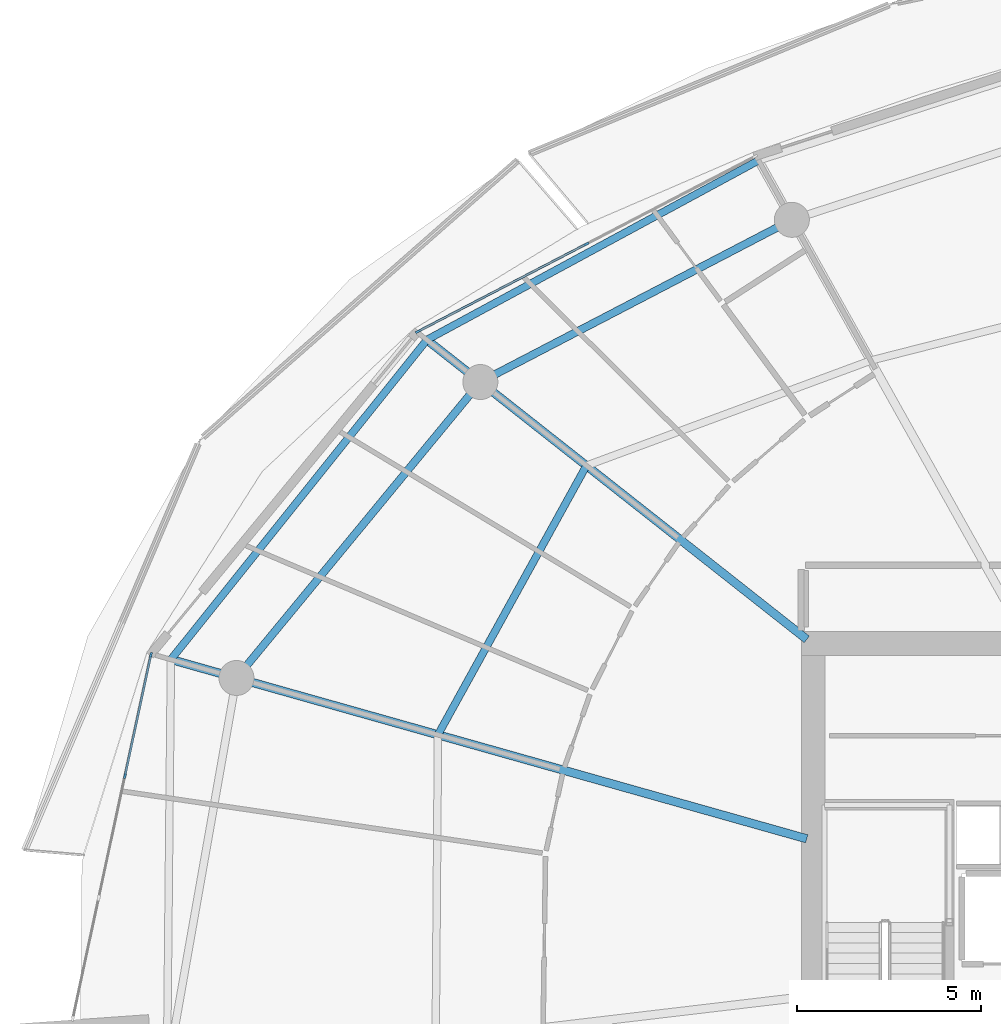
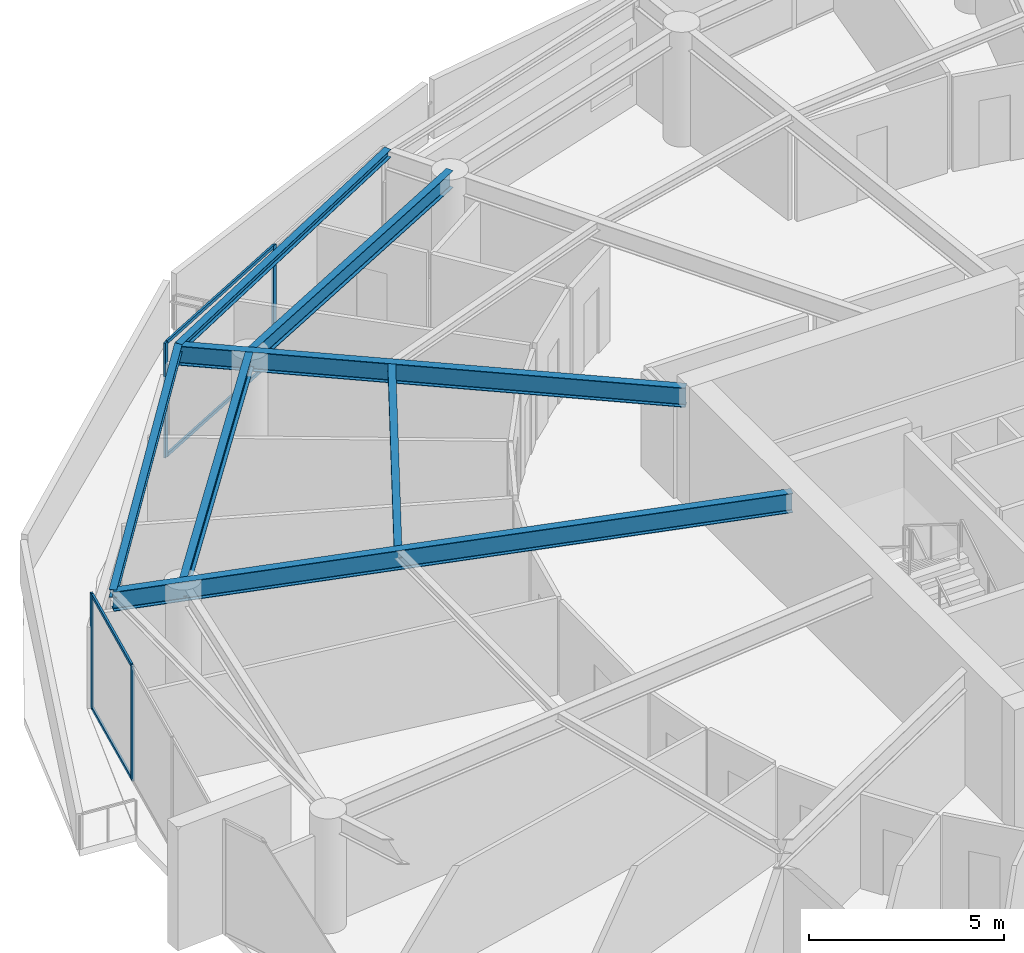
# One storey, part 12 of 30: 8 members, 7 beams, 2 elements without a shape of their own.
"""IFC4 building model written with IfcOpenShell, lengths in metres."""

from ifc_helpers import new_model, si_unit, direction, frame, origin, origin_2d, place, context, subcontext, project, spatial, rectangle, i_section, extrude, material, layer, layer_set, material_profile, profile_set, type_object, element, aggregate, save


model = new_model("IFC4")

# Units and contexts
model_context = context("Model", 3, precision=1e-05, world=origin(), true_north=direction((0.0, 1.0)))
body_context = subcontext(model_context, "Body", "Model", "MODEL_VIEW")
ifc_project = project(units=[si_unit("LENGTHUNIT", "METRE"), si_unit("AREAUNIT", "SQUARE_METRE"), si_unit("VOLUMEUNIT", "CUBIC_METRE"), si_unit("PLANEANGLEUNIT", "RADIAN"), si_unit("MASSUNIT", "GRAM", prefix="KILO")], contexts=[model_context])

# Site, building, storey
site_placement = place(None, origin())
site = spatial("IfcSite", under=ifc_project, at=site_placement, CompositionType="ELEMENT")
building_placement = place(site_placement, origin())
building = spatial("IfcBuilding", under=site, at=building_placement, Name="Kazma Halo Residences", CompositionType="ELEMENT")
storey_placement = place(building_placement, frame((0.0, 0.0, 244.39990234375)))
storey = spatial("IfcBuildingStorey", under=building, at=storey_placement, Name="L61", CompositionType="ELEMENT", Elevation=244.39990234375)

# Beams
ifc_material_1 = material(Name="Steel S355", Category="steel")
ifc_material_profile_1 = material_profile(ifc_material_1, i_section(OverallWidth=0.201904296875, OverallDepth=0.2470703125, WebThickness=0.00732421875, FlangeThickness=0.010986328125, FilletRadius=0.011962890625, at=origin_2d()), Name="W250x49.1")
ifc_profile_set_1 = profile_set([ifc_material_profile_1], Name="Steel S355")
beam_type_1 = type_object("IfcBeamType", Name="BM-BAL-CANT", PredefinedType="BEAM", material=ifc_profile_set_1)
beam_1_placement = place(storey_placement, frame((35.990478515625, 63.444580078125, 3.466552734375), z_axis=(-0.879517282036, -0.475866946321, 0.0), x_axis=(0.475866946321, -0.879517282036, 0.0)))
element("IfcBeam", 1, at=beam_1_placement, inside=storey, type_object=beam_type_1, Name="L61 wave-balcony tie beam 05", PredefinedType="BEAM", context=body_context, shape_type="SweptSolid", body=[
    extrude(i_section(OverallWidth=0.201904296875, OverallDepth=0.2470703125, WebThickness=0.00732421875, FlangeThickness=0.010986328125, FilletRadius=0.011962890625, at=origin_2d()), origin(), (0.0, 0.0, 1.0), 10.243408203125),
])
beam_2_placement = place(storey_placement, frame((26.981201171875, 58.570068359375, 3.466552734375), z_axis=(-0.625117912406, -0.780530329705, 0.0), x_axis=(0.780530329705, -0.625117912406, 0.0)))
element("IfcBeam", 2, at=beam_2_placement, inside=storey, type_object=beam_type_1, Name="L61 wave-balcony tie beam 06", PredefinedType="BEAM", context=body_context, shape_type="SweptSolid", body=[
    extrude(i_section(OverallWidth=0.201904296875, OverallDepth=0.2470703125, WebThickness=0.00732421875, FlangeThickness=0.010986328125, FilletRadius=0.011962890625, at=origin_2d()), origin(), (0.0, 0.0, 1.0), 11.1220703125),
])
ifc_material_profile_2 = material_profile(ifc_material_1, i_section(OverallWidth=0.22802734375, OverallDepth=0.60791015625, WebThickness=0.01123046875, FlangeThickness=0.017333984375, FilletRadius=0.01806640625, at=origin_2d()), Name="W610x113")
ifc_profile_set_2 = profile_set([ifc_material_profile_2], Name="Steel S355")
beam_type_2 = type_object("IfcBeamType", Name="BM-RAD-W610", PredefinedType="BEAM", material=ifc_profile_set_2)
beam_3_placement = place(storey_placement, frame((37.300048828125, 50.435302734375, 3.2861328125), z_axis=(-0.785315374811, 0.61909592317, 0.0), x_axis=(-0.61909592317, -0.785315374811, 0.0)))
element("IfcBeam", 3, at=beam_3_placement, inside=storey, type_object=beam_type_2, Name="L61 radial floor beam 06", PredefinedType="BEAM", context=body_context, shape_type="SweptSolid", body=[
    extrude(i_section(OverallWidth=0.22802734375, OverallDepth=0.60791015625, WebThickness=0.01123046875, FlangeThickness=0.017333984375, FilletRadius=0.01806640625, at=origin_2d()), origin(), (0.0, 0.0, 1.0), 13.1396484375),
])
beam_4_placement = place(storey_placement, frame((37.300048828125, 45.017578125, 3.2861328125), z_axis=(-0.962451225349, 0.271454671766, 0.0), x_axis=(-0.271454671766, -0.962451225349, 0.0)))
element("IfcBeam", 4, at=beam_4_placement, inside=storey, type_object=beam_type_2, Name="L61 radial floor beam 07", PredefinedType="BEAM", context=body_context, shape_type="SweptSolid", body=[
    extrude(i_section(OverallWidth=0.22802734375, OverallDepth=0.60791015625, WebThickness=0.01123046875, FlangeThickness=0.017333984375, FilletRadius=0.01806640625, at=origin_2d()), origin(), (0.0, 0.0, 1.0), 17.9453125),
])
ifc_material_profile_3 = material_profile(ifc_material_1, i_section(OverallWidth=0.202880859375, OverallDepth=0.302978515625, WebThickness=0.007568359375, FlangeThickness=0.01318359375, FilletRadius=0.013916015625, at=origin_2d()), Name="W310x60")
ifc_profile_set_3 = profile_set([ifc_material_profile_3], Name="Steel S355")
beam_type_3 = type_object("IfcBeamType", Name="BM-SEC-W310A", PredefinedType="JOIST", material=ifc_profile_set_3)
beam_5_placement = place(storey_placement, frame((31.31494140625, 55.1533203125, 3.4384765625), z_axis=(-0.483003900912, -0.875618199733, 0.0), x_axis=(0.875618199733, -0.483003900912, 0.0)))
element("IfcBeam", 5, at=beam_5_placement, inside=storey, type_object=beam_type_3, Name="L61 circumferential floor joist 06", PredefinedType="JOIST", context=body_context, shape_type="SweptSolid", body=[
    extrude(i_section(OverallWidth=0.202880859375, OverallDepth=0.302978515625, WebThickness=0.007568359375, FlangeThickness=0.01318359375, FilletRadius=0.013916015625, at=origin_2d()), origin(), (0.0, 0.0, 1.0), 8.3486328125),
])
ifc_material_profile_4 = material_profile(ifc_material_1, i_section(OverallWidth=0.208984375, OverallDepth=0.532958984375, WebThickness=0.01025390625, FlangeThickness=0.015625, FilletRadius=0.01611328125, at=origin_2d()), Name="W530x92")
ifc_profile_set_4 = profile_set([ifc_material_profile_4], Name="Steel S355")
beam_type_4 = type_object("IfcBeamType", Name="BM-SPN-W530", PredefinedType="BEAM", material=ifc_profile_set_4)
beam_6_placement = place(storey_placement, frame((36.89453125, 61.830322265625, 3.323486328125), z_axis=(-0.886961047115, -0.461844238788, 0.0), x_axis=(0.461844238788, -0.886961047115, 0.0)))
element("IfcBeam", 6, at=beam_6_placement, inside=storey, type_object=beam_type_4, Name="L61 perimeter ring beam 05", PredefinedType="BEAM", context=body_context, shape_type="SweptSolid", body=[
    extrude(i_section(OverallWidth=0.208984375, OverallDepth=0.532958984375, WebThickness=0.01025390625, FlangeThickness=0.015625, FilletRadius=0.01611328125, at=origin_2d()), origin(), (0.0, 0.0, 1.0), 9.5390625),
])
beam_7_placement = place(storey_placement, frame((28.433837890625, 57.4248046875, 3.323486328125), z_axis=(-0.636002144225, -0.771687289348, 0.0), x_axis=(0.771687289348, -0.636002144225, 0.0)))
element("IfcBeam", 7, at=beam_7_placement, inside=storey, type_object=beam_type_4, Name="L61 perimeter ring beam 06", PredefinedType="BEAM", context=body_context, shape_type="SweptSolid", body=[
    extrude(i_section(OverallWidth=0.208984375, OverallDepth=0.532958984375, WebThickness=0.01025390625, FlangeThickness=0.015625, FilletRadius=0.01611328125, at=origin_2d()), origin(), (0.0, 0.0, 1.0), 10.416259765625),
])

# Curtain wall, members
ifc_material_2 = material(Name="Aluminium AW-6063 T6 and Triple-Silver Low-E Glass", Category="aluminium")
ifc_layer = layer(ifc_material_2, 0.139892578125)
ifc_layer_set = layer_set([ifc_layer], Name="Aluminium AW-6063 T6 and Triple-Silver Low-E Glass")
curtain_wall_type = type_object("IfcCurtainWallType", Name="CW-SYS-5", PredefinedType="NOTDEFINED", material=ifc_layer_set)
curtain_wall_1_placement = place(storey_placement, origin())
curtain_wall_1 = element("IfcCurtainWall", 8, at=curtain_wall_1_placement, inside=storey, type_object=curtain_wall_type, Name="L61 unitised curtain wall B05", PredefinedType="NOTDEFINED")
ifc_material_3 = material(Name="Aluminium AW-6063 T6", Category="aluminium")
ifc_material_profile_5 = material_profile(ifc_material_3, rectangle(XDim=0.06005859375, YDim=0.139892578125, at=origin_2d()), Name="CWM-60x140")
ifc_profile_set_5 = profile_set([ifc_material_profile_5], Name="Aluminium AW-6063 T6")
member_type_1 = type_object("IfcMemberType", Name="CW-SYS-5-MUL", PredefinedType="MULLION", material=ifc_profile_set_5)
member_1_placement = place(storey_placement, frame((31.31591796875, 61.175537109375, 0.0), z_axis=(0.0, 0.0, 1.0), x_axis=(0.460960760804, -0.887420518694, 0.0)))
member_1 = element("IfcMember", 9, at=member_1_placement, type_object=member_type_1, Name="CWS-5 mullion 2", PredefinedType="MULLION", context=body_context, shape_type="SweptSolid", body=[
    extrude(rectangle(XDim=0.06005859375, YDim=0.139892578125, at=origin_2d()), origin(), (0.0, 0.0, 1.0), 3.590087890625),
])
member_2_placement = place(storey_placement, frame((26.737060546875, 58.797119140625, 0.0), z_axis=(0.0, 0.0, 1.0), x_axis=(0.460960760804, -0.887420518694, 0.0)))
member_2 = element("IfcMember", 10, at=member_2_placement, type_object=member_type_1, Name="CWS-5 mullion 3", PredefinedType="MULLION", context=body_context, shape_type="SweptSolid", body=[
    extrude(rectangle(XDim=0.06005859375, YDim=0.139892578125, at=origin_2d()), origin(), (0.0, 0.0, 1.0), 3.590087890625),
])

curtain_wall_2_placement = place(storey_placement, origin())
curtain_wall_2 = element("IfcCurtainWall", 11, at=curtain_wall_2_placement, inside=storey, type_object=curtain_wall_type, Name="L61 unitised curtain wall B07", PredefinedType="NOTDEFINED")
member_3_placement = place(storey_placement, frame((19.485107421875, 50.010986328125, 0.0), z_axis=(0.0, 0.0, 1.0), x_axis=(0.97777491373, -0.209657382603, 0.0)))
member_3 = element("IfcMember", 12, at=member_3_placement, type_object=member_type_1, Name="CWS-5 mullion 1", PredefinedType="MULLION", context=body_context, shape_type="SweptSolid", body=[
    extrude(rectangle(XDim=0.06005859375, YDim=0.139892578125, at=origin_2d()), origin(), (0.0, 0.0, 1.0), 3.590087890625),
])
member_4_placement = place(storey_placement, frame((18.781005859375, 46.7265625, 0.0), z_axis=(0.0, 0.0, 1.0), x_axis=(0.97777491373, -0.209657382603, 0.0)))
member_4 = element("IfcMember", 13, at=member_4_placement, type_object=member_type_1, Name="CWS-5 mullion 2", PredefinedType="MULLION", context=body_context, shape_type="SweptSolid", body=[
    extrude(rectangle(XDim=0.06005859375, YDim=0.139892578125, at=origin_2d()), origin(), (0.0, 0.0, 1.0), 3.590087890625),
])

# Member
ifc_material_profile_6 = material_profile(ifc_material_3, rectangle(XDim=0.06005859375, YDim=0.10498046875, at=origin_2d()), Name="CWT-60x105")
ifc_profile_set_6 = profile_set([ifc_material_profile_6], Name="Aluminium AW-6063 T6")
member_type_2 = type_object("IfcMemberType", Name="CW-SYS-5-TRN", PredefinedType="USERDEFINED", material=ifc_profile_set_6)
member_5_placement = place(storey_placement, frame((31.289306640625, 61.16162109375, 0.030029296875), z_axis=(-0.887436955863, -0.46092911534, 0.0), x_axis=(0.46092911534, -0.887436955863, 0.0)))
member_5 = element("IfcMember", 14, at=member_5_placement, type_object=member_type_2, Name="CWS-5 transom 2.1", ObjectType="TRANSOM", PredefinedType="USERDEFINED", context=body_context, shape_type="SweptSolid", body=[
    extrude(rectangle(XDim=0.06005859375, YDim=0.10498046875, at=origin_2d()), origin(), (0.0, 0.0, 1.0), 5.099609375),
])

member_6_placement = place(storey_placement, frame((31.289306640625, 61.16162109375, 3.56005859375), z_axis=(-0.887436955863, -0.46092911534, 0.0), x_axis=(0.46092911534, -0.887436955863, 0.0)))
member_6 = element("IfcMember", 15, at=member_6_placement, type_object=member_type_2, Name="CWS-5 transom 2.2", ObjectType="TRANSOM", PredefinedType="USERDEFINED", context=body_context, shape_type="SweptSolid", body=[
    extrude(rectangle(XDim=0.06005859375, YDim=0.10498046875, at=origin_2d()), origin(), (0.0, 0.0, 1.0), 5.099609375),
])

aggregate(curtain_wall_1, [member_1, member_2, member_5, member_6])

member_7_placement = place(storey_placement, frame((19.47900390625, 49.9814453125, 0.030029296875), z_axis=(-0.209660493552, -0.977774246666, 0.0), x_axis=(0.977774246666, -0.209660493552, 0.0)))
member_7 = element("IfcMember", 16, at=member_7_placement, type_object=member_type_2, Name="CWS-5 transom 1.1", ObjectType="TRANSOM", PredefinedType="USERDEFINED", context=body_context, shape_type="SweptSolid", body=[
    extrude(rectangle(XDim=0.06005859375, YDim=0.10498046875, at=origin_2d()), origin(), (0.0, 0.0, 1.0), 3.298828125),
])

member_8_placement = place(storey_placement, frame((19.47900390625, 49.9814453125, 3.56005859375), z_axis=(-0.209660493552, -0.977774246666, 0.0), x_axis=(0.977774246666, -0.209660493552, 0.0)))
member_8 = element("IfcMember", 17, at=member_8_placement, type_object=member_type_2, Name="CWS-5 transom 1.2", ObjectType="TRANSOM", PredefinedType="USERDEFINED", context=body_context, shape_type="SweptSolid", body=[
    extrude(rectangle(XDim=0.06005859375, YDim=0.10498046875, at=origin_2d()), origin(), (0.0, 0.0, 1.0), 3.298828125),
])

aggregate(curtain_wall_2, [member_3, member_4, member_7, member_8])

save(model, "model.ifc")
